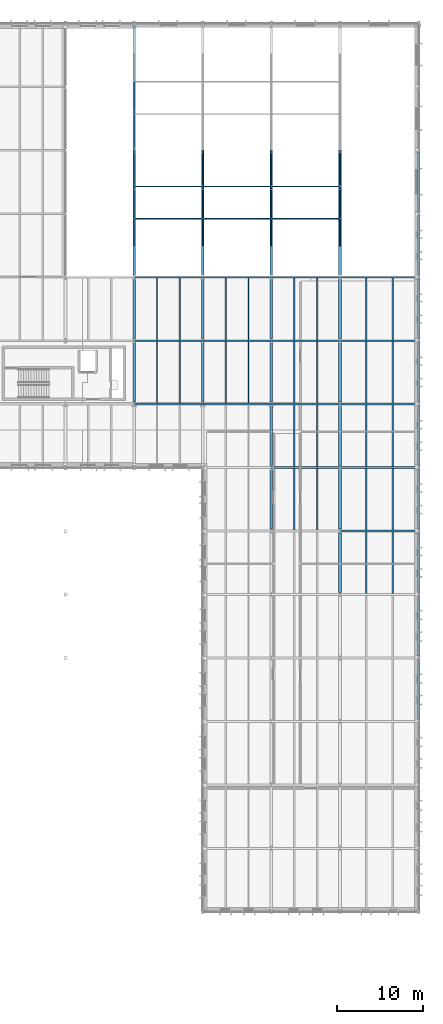
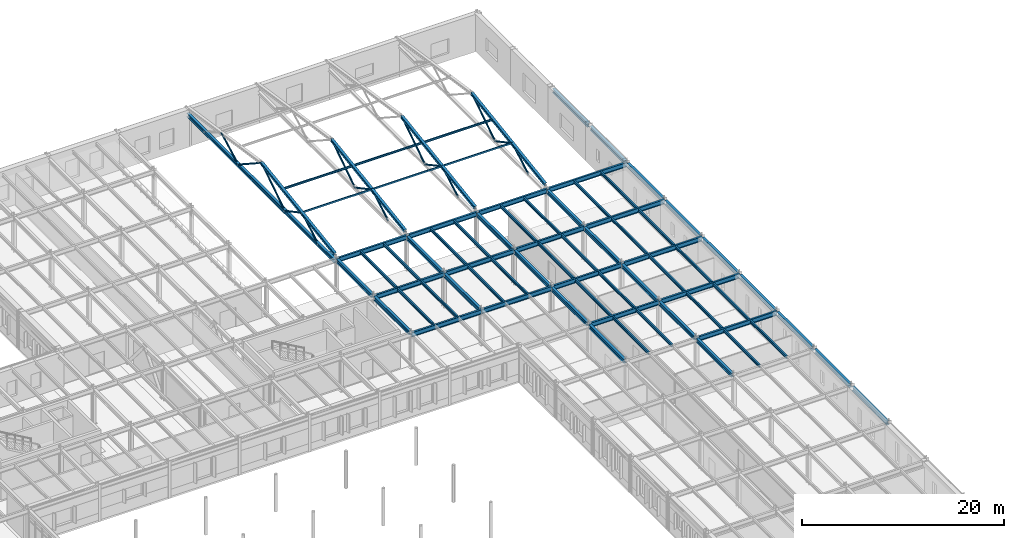
# One storey, part 27 of 75: 63 beams, 25 members.
"""IFC4 building model written with IfcOpenShell, lengths in metres."""

from ifc_helpers import new_model, si_unit, direction, frame, origin, origin_2d, place, context, subcontext, project, spatial, hollow_rectangle, hollow_circle, i_section, extrude, material, material_profile, profile_set, type_object, element, save


model = new_model("IFC4")

# Units and contexts
model_context = context("Model", 3, precision=1e-05, world=origin(), true_north=direction((0.0, 1.0)))
body_context = subcontext(model_context, "Body", "Model", "MODEL_VIEW")
ifc_project = project(units=[si_unit("LENGTHUNIT", "METRE"), si_unit("AREAUNIT", "SQUARE_METRE"), si_unit("VOLUMEUNIT", "CUBIC_METRE"), si_unit("PLANEANGLEUNIT", "RADIAN"), si_unit("MASSUNIT", "GRAM", prefix="KILO")], contexts=[model_context])

# Site, building, storey
site_placement = place(None, origin())
site = spatial("IfcSite", under=ifc_project, at=site_placement, CompositionType="ELEMENT")
building_placement = place(site_placement, origin())
building = spatial("IfcBuilding", under=site, at=building_placement, Name="Valkorina Park Police Headquarters", CompositionType="ELEMENT")
storey_placement = place(building_placement, frame((0.0, 0.0, 5.39990234375)))
storey = spatial("IfcBuildingStorey", under=building, at=storey_placement, Name="L02", CompositionType="ELEMENT", Elevation=5.39990234375)

# Beams
ifc_material = material(Name="Steel S355", Category="steel")
ifc_material_profile_1 = material_profile(ifc_material, i_section(OverallWidth=0.300048828125, OverallDepth=0.489990234375, WebThickness=0.011962890625, FlangeThickness=0.02294921875, FilletRadius=0.027099609375, at=origin_2d()), Name="HEA 500")
ifc_profile_set_1 = profile_set([ifc_material_profile_1], Name="Steel S355")
beam_type_1 = type_object("IfcBeamType", Name="BM-S355-HEA500-BM", PredefinedType="BEAM", material=ifc_profile_set_1)
for number, where, z_axis, x_axis, name in (
    (1, (128.800048828125, 66.824951171875, 3.9951171875), (0.0, 1.0, 0.0), (-1.0, 0.0, 0.0), "L02 Framing Beam 1733"),
    (2, (128.800048828125, 74.22509765625, 3.9951171875), (0.0, 1.0, 0.0), (-1.0, 0.0, 0.0), "L02 Framing Beam 1736"),
    (3, (136.800048828125, 66.824951171875, 3.955078125), (0.0, 1.0, 0.0), (-1.0, 0.0, 0.0), "L02 Framing Beam 1763"),
    (4, (136.800048828125, 74.22509765625, 3.955078125), (0.0, 1.0, 0.0), (-1.0, 0.0, 0.0), "L02 Framing Beam 1766"),
):
    element("IfcBeam", number, at=place(storey_placement, frame(where, z_axis=z_axis, x_axis=x_axis)), inside=storey, type_object=beam_type_1, Name=name, PredefinedType="BEAM", context=body_context, shape_type="SweptSolid", body=[
        extrude(i_section(OverallWidth=0.300048828125, OverallDepth=0.489990234375, WebThickness=0.011962890625, FlangeThickness=0.02294921875, FilletRadius=0.027099609375, at=origin_2d()), origin(), (0.0, 0.0, 1.0), 6.949951171875),
    ])
beam_1_placement = place(storey_placement, frame((144.800048828125, 52.02490234375, 3.955078125), z_axis=(0.0, 1.0, 0.0), x_axis=(-1.0, 0.0, 0.0)))
element("IfcBeam", 5, at=beam_1_placement, inside=storey, type_object=beam_type_1, Name="L02 Framing Beam 1787", PredefinedType="BEAM", context=body_context, shape_type="SweptSolid", body=[
    extrude(i_section(OverallWidth=0.300048828125, OverallDepth=0.489990234375, WebThickness=0.011962890625, FlangeThickness=0.02294921875, FilletRadius=0.027099609375, at=origin_2d()), origin(), (0.0, 0.0, 1.0), 6.9501953125),
])
for number, where, z_axis, x_axis, name in (
    (6, (144.800048828125, 59.425048828125, 3.955078125), (0.0, 1.0, 0.0), (-1.0, 0.0, 0.0), "L02 Framing Beam 1790"),
    (7, (144.800048828125, 66.824951171875, 3.955078125), (0.0, 1.0, 0.0), (-1.0, 0.0, 0.0), "L02 Framing Beam 1793"),
    (8, (144.800048828125, 74.22509765625, 3.955078125), (0.0, 1.0, 0.0), (-1.0, 0.0, 0.0), "L02 Framing Beam 1796"),
    (9, (152.800048828125, 44.625, 3.955078125), (0.0, 1.0, 0.0), (-1.0, 0.0, 0.0), "L02 Framing Beam 1819"),
):
    element("IfcBeam", number, at=place(storey_placement, frame(where, z_axis=z_axis, x_axis=x_axis)), inside=storey, type_object=beam_type_1, Name=name, PredefinedType="BEAM", context=body_context, shape_type="SweptSolid", body=[
        extrude(i_section(OverallWidth=0.300048828125, OverallDepth=0.489990234375, WebThickness=0.011962890625, FlangeThickness=0.02294921875, FilletRadius=0.027099609375, at=origin_2d()), origin(), (0.0, 0.0, 1.0), 6.949951171875),
    ])
beam_2_placement = place(storey_placement, frame((152.800048828125, 52.02490234375, 3.955078125), z_axis=(0.0, 1.0, 0.0), x_axis=(-1.0, 0.0, 0.0)))
element("IfcBeam", 10, at=beam_2_placement, inside=storey, type_object=beam_type_1, Name="L02 Framing Beam 1823", PredefinedType="BEAM", context=body_context, shape_type="SweptSolid", body=[
    extrude(i_section(OverallWidth=0.300048828125, OverallDepth=0.489990234375, WebThickness=0.011962890625, FlangeThickness=0.02294921875, FilletRadius=0.027099609375, at=origin_2d()), origin(), (0.0, 0.0, 1.0), 6.9501953125),
])
for number, where, z_axis, x_axis, name in (
    (11, (152.800048828125, 59.425048828125, 3.955078125), (0.0, 1.0, 0.0), (-1.0, 0.0, 0.0), "L02 Framing Beam 1827"),
    (12, (152.800048828125, 66.824951171875, 3.955078125), (0.0, 1.0, 0.0), (-1.0, 0.0, 0.0), "L02 Framing Beam 1831"),
    (13, (152.800048828125, 74.22509765625, 3.955078125), (0.0, 1.0, 0.0), (-1.0, 0.0, 0.0), "L02 Framing Beam 1835"),
):
    element("IfcBeam", number, at=place(storey_placement, frame(where, z_axis=z_axis, x_axis=x_axis)), inside=storey, type_object=beam_type_1, Name=name, PredefinedType="BEAM", context=body_context, shape_type="SweptSolid", body=[
        extrude(i_section(OverallWidth=0.300048828125, OverallDepth=0.489990234375, WebThickness=0.011962890625, FlangeThickness=0.02294921875, FilletRadius=0.027099609375, at=origin_2d()), origin(), (0.0, 0.0, 1.0), 6.949951171875),
    ])
ifc_material_profile_2 = material_profile(ifc_material, i_section(OverallWidth=0.300048828125, OverallDepth=0.489990234375, WebThickness=0.011962890625, FlangeThickness=0.02294921875, FilletRadius=0.027099609375, at=origin_2d()), Name="HEA 500")
ifc_profile_set_2 = profile_set([ifc_material_profile_2], Name="Steel S355")
beam_type_2 = type_object("IfcBeamType", Name="BM-S355-HEA500-SPN", PredefinedType="SPANDREL", material=ifc_profile_set_2)
for number, where, z_axis, x_axis, name in (
    (14, (162.0, 29.824951171875, 3.925048828125), (0.0, 1.0, 0.0), (-1.0, 0.0, 0.0), "L02 Framing Beam 1812"),
    (15, (162.0, 37.22509765625, 3.955078125), (0.0, 1.0, 0.0), (-1.0, 0.0, 0.0), "L02 Framing Beam 1816"),
    (16, (162.0, 44.625, 3.955078125), (0.0, 1.0, 0.0), (-1.0, 0.0, 0.0), "L02 Framing Beam 1820"),
):
    element("IfcBeam", number, at=place(storey_placement, frame(where, z_axis=z_axis, x_axis=x_axis)), inside=storey, type_object=beam_type_2, Name=name, PredefinedType="SPANDREL", context=body_context, shape_type="SweptSolid", body=[
        extrude(i_section(OverallWidth=0.300048828125, OverallDepth=0.489990234375, WebThickness=0.011962890625, FlangeThickness=0.02294921875, FilletRadius=0.027099609375, at=origin_2d()), origin(), (0.0, 0.0, 1.0), 6.949951171875),
    ])
beam_3_placement = place(storey_placement, frame((162.0, 52.02490234375, 3.955078125), z_axis=(0.0, 1.0, 0.0), x_axis=(-1.0, 0.0, 0.0)))
element("IfcBeam", 17, at=beam_3_placement, inside=storey, type_object=beam_type_2, Name="L02 Framing Beam 1824", PredefinedType="SPANDREL", context=body_context, shape_type="SweptSolid", body=[
    extrude(i_section(OverallWidth=0.300048828125, OverallDepth=0.489990234375, WebThickness=0.011962890625, FlangeThickness=0.02294921875, FilletRadius=0.027099609375, at=origin_2d()), origin(), (0.0, 0.0, 1.0), 6.9501953125),
])
for number, where, z_axis, x_axis, name in (
    (18, (162.0, 59.425048828125, 3.955078125), (0.0, 1.0, 0.0), (-1.0, 0.0, 0.0), "L02 Framing Beam 1828"),
    (19, (162.0, 66.824951171875, 3.955078125), (0.0, 1.0, 0.0), (-1.0, 0.0, 0.0), "L02 Framing Beam 1832"),
    (20, (162.0, 74.22509765625, 3.955078125), (0.0, 1.0, 0.0), (-1.0, 0.0, 0.0), "L02 Framing Beam 1836"),
    (21, (162.0, 81.625, 3.955078125), (0.0, 1.0, 0.0), (-1.0, 0.0, 0.0), "L02 Framing Beam 1839"),
):
    element("IfcBeam", number, at=place(storey_placement, frame(where, z_axis=z_axis, x_axis=x_axis)), inside=storey, type_object=beam_type_2, Name=name, PredefinedType="SPANDREL", context=body_context, shape_type="SweptSolid", body=[
        extrude(i_section(OverallWidth=0.300048828125, OverallDepth=0.489990234375, WebThickness=0.011962890625, FlangeThickness=0.02294921875, FilletRadius=0.027099609375, at=origin_2d()), origin(), (0.0, 0.0, 1.0), 6.949951171875),
    ])
beam_4_placement = place(storey_placement, frame((162.0, 89.02490234375, 3.9951171875), z_axis=(0.0, 1.0, 0.0), x_axis=(-1.0, 0.0, 0.0)))
element("IfcBeam", 22, at=beam_4_placement, inside=storey, type_object=beam_type_2, Name="L02 Framing Beam 1840", PredefinedType="SPANDREL", context=body_context, shape_type="SweptSolid", body=[
    extrude(i_section(OverallWidth=0.300048828125, OverallDepth=0.489990234375, WebThickness=0.011962890625, FlangeThickness=0.02294921875, FilletRadius=0.027099609375, at=origin_2d()), origin(), (0.0, 0.0, 1.0), 6.9501953125),
])
ifc_material_profile_3 = material_profile(ifc_material, i_section(OverallWidth=0.169921875, OverallDepth=0.360107421875, WebThickness=0.008056640625, FlangeThickness=0.0126953125, FilletRadius=0.01806640625, at=origin_2d()), Name="IPE 360")
ifc_profile_set_3 = profile_set([ifc_material_profile_3], Name="Steel S355")
beam_type_3 = type_object("IfcBeamType", Name="BM-S355-IPE360-JST", PredefinedType="JOIST", material=ifc_profile_set_3)
for number, where, z_axis, x_axis, name in (
    (23, (131.466796875, 66.705078125, 4.06005859375), (0.0, 1.0, 0.0), (-1.0, 0.0, 0.0), "L02 Framing Beam 1734"),
    (24, (134.13330078125, 66.705078125, 4.06005859375), (0.0, 1.0, 0.0), (-1.0, 0.0, 0.0), "L02 Framing Beam 1735"),
    (25, (131.466796875, 74.10498046875, 4.06005859375), (0.0, 1.0, 0.0), (-1.0, 0.0, 0.0), "L02 Framing Beam 1737"),
    (26, (134.13330078125, 74.10498046875, 4.06005859375), (0.0, 1.0, 0.0), (-1.0, 0.0, 0.0), "L02 Framing Beam 1738"),
    (27, (139.466796875, 66.705078125, 4.02001953125), (0.0, 1.0, 0.0), (-1.0, 0.0, 0.0), "L02 Framing Beam 1764"),
    (28, (142.13330078125, 66.705078125, 4.02001953125), (0.0, 1.0, 0.0), (-1.0, 0.0, 0.0), "L02 Framing Beam 1765"),
    (29, (139.466796875, 74.10498046875, 4.02001953125), (0.0, 1.0, 0.0), (-1.0, 0.0, 0.0), "L02 Framing Beam 1767"),
    (30, (142.13330078125, 74.10498046875, 4.02001953125), (0.0, 1.0, 0.0), (-1.0, 0.0, 0.0), "L02 Framing Beam 1768"),
    (31, (147.466796875, 51.905029296875, 4.02001953125), (0.0, 1.0, 0.0), (-1.0, 0.0, 0.0), "L02 Framing Beam 1788"),
    (32, (150.13330078125, 51.905029296875, 4.02001953125), (0.0, 1.0, 0.0), (-1.0, 0.0, 0.0), "L02 Framing Beam 1789"),
):
    element("IfcBeam", number, at=place(storey_placement, frame(where, z_axis=z_axis, x_axis=x_axis)), inside=storey, type_object=beam_type_3, Name=name, PredefinedType="JOIST", context=body_context, shape_type="SweptSolid", body=[
        extrude(i_section(OverallWidth=0.169921875, OverallDepth=0.360107421875, WebThickness=0.008056640625, FlangeThickness=0.0126953125, FilletRadius=0.01806640625, at=origin_2d()), origin(), (0.0, 0.0, 1.0), 7.18994140625),
    ])
for number, where, z_axis, x_axis, name in (
    (33, (147.466796875, 59.304931640625, 4.02001953125), (0.0, 1.0, 0.0), (-1.0, 0.0, 0.0), "L02 Framing Beam 1791"),
    (34, (150.13330078125, 59.304931640625, 4.02001953125), (0.0, 1.0, 0.0), (-1.0, 0.0, 0.0), "L02 Framing Beam 1792"),
):
    element("IfcBeam", number, at=place(storey_placement, frame(where, z_axis=z_axis, x_axis=x_axis)), inside=storey, type_object=beam_type_3, Name=name, PredefinedType="JOIST", context=body_context, shape_type="SweptSolid", body=[
        extrude(i_section(OverallWidth=0.169921875, OverallDepth=0.360107421875, WebThickness=0.008056640625, FlangeThickness=0.0126953125, FilletRadius=0.01806640625, at=origin_2d()), origin(), (0.0, 0.0, 1.0), 7.190185546875),
    ])
for number, where, z_axis, x_axis, name in (
    (35, (147.466796875, 66.705078125, 4.02001953125), (0.0, 1.0, 0.0), (-1.0, 0.0, 0.0), "L02 Framing Beam 1794"),
    (36, (150.13330078125, 66.705078125, 4.02001953125), (0.0, 1.0, 0.0), (-1.0, 0.0, 0.0), "L02 Framing Beam 1795"),
    (37, (147.466796875, 74.10498046875, 4.02001953125), (0.0, 1.0, 0.0), (-1.0, 0.0, 0.0), "L02 Framing Beam 1797"),
    (38, (150.13330078125, 74.10498046875, 4.02001953125), (0.0, 1.0, 0.0), (-1.0, 0.0, 0.0), "L02 Framing Beam 1798"),
):
    element("IfcBeam", number, at=place(storey_placement, frame(where, z_axis=z_axis, x_axis=x_axis)), inside=storey, type_object=beam_type_3, Name=name, PredefinedType="JOIST", context=body_context, shape_type="SweptSolid", body=[
        extrude(i_section(OverallWidth=0.169921875, OverallDepth=0.360107421875, WebThickness=0.008056640625, FlangeThickness=0.0126953125, FilletRadius=0.01806640625, at=origin_2d()), origin(), (0.0, 0.0, 1.0), 7.18994140625),
    ])
for number, where, z_axis, x_axis, name in (
    (39, (155.86669921875, 44.5048828125, 4.02001953125), (0.0, 1.0, 0.0), (-1.0, 0.0, 0.0), "L02 Framing Beam 1821"),
    (40, (158.933349609375, 44.5048828125, 4.02001953125), (0.0, 1.0, 0.0), (-1.0, 0.0, 0.0), "L02 Framing Beam 1822"),
):
    element("IfcBeam", number, at=place(storey_placement, frame(where, z_axis=z_axis, x_axis=x_axis)), inside=storey, type_object=beam_type_3, Name=name, PredefinedType="JOIST", context=body_context, shape_type="SweptSolid", body=[
        extrude(i_section(OverallWidth=0.169921875, OverallDepth=0.360107421875, WebThickness=0.008056640625, FlangeThickness=0.0126953125, FilletRadius=0.01806640625, at=origin_2d()), origin(), (0.0, 0.0, 1.0), 7.190185546875),
    ])
for number, where, z_axis, x_axis, name in (
    (41, (155.86669921875, 51.905029296875, 4.02001953125), (0.0, 1.0, 0.0), (-1.0, 0.0, 0.0), "L02 Framing Beam 1825"),
    (42, (158.933349609375, 51.905029296875, 4.02001953125), (0.0, 1.0, 0.0), (-1.0, 0.0, 0.0), "L02 Framing Beam 1826"),
):
    element("IfcBeam", number, at=place(storey_placement, frame(where, z_axis=z_axis, x_axis=x_axis)), inside=storey, type_object=beam_type_3, Name=name, PredefinedType="JOIST", context=body_context, shape_type="SweptSolid", body=[
        extrude(i_section(OverallWidth=0.169921875, OverallDepth=0.360107421875, WebThickness=0.008056640625, FlangeThickness=0.0126953125, FilletRadius=0.01806640625, at=origin_2d()), origin(), (0.0, 0.0, 1.0), 7.18994140625),
    ])
for number, where, z_axis, x_axis, name in (
    (43, (155.86669921875, 59.304931640625, 4.02001953125), (0.0, 1.0, 0.0), (-1.0, 0.0, 0.0), "L02 Framing Beam 1829"),
    (44, (158.933349609375, 59.304931640625, 4.02001953125), (0.0, 1.0, 0.0), (-1.0, 0.0, 0.0), "L02 Framing Beam 1830"),
):
    element("IfcBeam", number, at=place(storey_placement, frame(where, z_axis=z_axis, x_axis=x_axis)), inside=storey, type_object=beam_type_3, Name=name, PredefinedType="JOIST", context=body_context, shape_type="SweptSolid", body=[
        extrude(i_section(OverallWidth=0.169921875, OverallDepth=0.360107421875, WebThickness=0.008056640625, FlangeThickness=0.0126953125, FilletRadius=0.01806640625, at=origin_2d()), origin(), (0.0, 0.0, 1.0), 7.190185546875),
    ])
for number, where, z_axis, x_axis, name in (
    (45, (155.86669921875, 66.705078125, 4.02001953125), (0.0, 1.0, 0.0), (-1.0, 0.0, 0.0), "L02 Framing Beam 1833"),
    (46, (158.933349609375, 66.705078125, 4.02001953125), (0.0, 1.0, 0.0), (-1.0, 0.0, 0.0), "L02 Framing Beam 1834"),
    (47, (155.86669921875, 74.10498046875, 4.02001953125), (0.0, 1.0, 0.0), (-1.0, 0.0, 0.0), "L02 Framing Beam 1837"),
    (48, (158.933349609375, 74.10498046875, 4.02001953125), (0.0, 1.0, 0.0), (-1.0, 0.0, 0.0), "L02 Framing Beam 1838"),
):
    element("IfcBeam", number, at=place(storey_placement, frame(where, z_axis=z_axis, x_axis=x_axis)), inside=storey, type_object=beam_type_3, Name=name, PredefinedType="JOIST", context=body_context, shape_type="SweptSolid", body=[
        extrude(i_section(OverallWidth=0.169921875, OverallDepth=0.360107421875, WebThickness=0.008056640625, FlangeThickness=0.0126953125, FilletRadius=0.01806640625, at=origin_2d()), origin(), (0.0, 0.0, 1.0), 7.18994140625),
    ])
ifc_material_profile_4 = material_profile(ifc_material, i_section(OverallWidth=0.2099609375, OverallDepth=0.550048828125, WebThickness=0.010986328125, FlangeThickness=0.01708984375, FilletRadius=0.02392578125, at=origin_2d()), Name="IPE 550")
ifc_profile_set_4 = profile_set([ifc_material_profile_4], Name="Steel S355")
beam_type_4 = type_object("IfcBeamType", Name="BM-S355-IPE550-BM", PredefinedType="BEAM", material=ifc_profile_set_4)
beam_5_placement = place(storey_placement, frame((152.806884765625, 51.800048828125, 3.925048828125), z_axis=(1.0, 0.0, 0.0), x_axis=(0.0, 1.0, 0.0)))
element("IfcBeam", 49, at=beam_5_placement, inside=storey, type_object=beam_type_4, Name="L02 Framing Beam 1339", PredefinedType="BEAM", context=body_context, shape_type="SweptSolid", body=[
    extrude(i_section(OverallWidth=0.2099609375, OverallDepth=0.550048828125, WebThickness=0.010986328125, FlangeThickness=0.01708984375, FilletRadius=0.02392578125, at=origin_2d()), origin(), (0.0, 0.0, 1.0), 9.18603515625),
])
beam_6_placement = place(storey_placement, frame((144.806884765625, 59.199951171875, 3.925048828125), z_axis=(1.0, 0.0, 0.0), x_axis=(0.0, 1.0, 0.0)))
element("IfcBeam", 50, at=beam_6_placement, inside=storey, type_object=beam_type_4, Name="L02 Framing Beam 1357", PredefinedType="BEAM", context=body_context, shape_type="SweptSolid", body=[
    extrude(i_section(OverallWidth=0.2099609375, OverallDepth=0.550048828125, WebThickness=0.010986328125, FlangeThickness=0.01708984375, FilletRadius=0.02392578125, at=origin_2d()), origin(), (0.0, 0.0, 1.0), 7.986083984375),
])
beam_7_placement = place(storey_placement, frame((152.806884765625, 59.199951171875, 3.925048828125), z_axis=(1.0, 0.0, 0.0), x_axis=(0.0, 1.0, 0.0)))
element("IfcBeam", 51, at=beam_7_placement, inside=storey, type_object=beam_type_4, Name="L02 Framing Beam 1358", PredefinedType="BEAM", context=body_context, shape_type="SweptSolid", body=[
    extrude(i_section(OverallWidth=0.2099609375, OverallDepth=0.550048828125, WebThickness=0.010986328125, FlangeThickness=0.01708984375, FilletRadius=0.02392578125, at=origin_2d()), origin(), (0.0, 0.0, 1.0), 9.18603515625),
])
for number, where, z_axis, x_axis, name in (
    (52, (128.806884765625, 66.60009765625, 3.925048828125), (1.0, 0.0, 0.0), (0.0, 1.0, 0.0), "L02 Framing Beam 1371"),
    (53, (136.806884765625, 66.60009765625, 3.925048828125), (1.0, 0.0, 0.0), (0.0, 1.0, 0.0), "L02 Framing Beam 1372"),
    (54, (144.806884765625, 66.60009765625, 3.925048828125), (1.0, 0.0, 0.0), (0.0, 1.0, 0.0), "L02 Framing Beam 1373"),
):
    element("IfcBeam", number, at=place(storey_placement, frame(where, z_axis=z_axis, x_axis=x_axis)), inside=storey, type_object=beam_type_4, Name=name, PredefinedType="BEAM", context=body_context, shape_type="SweptSolid", body=[
        extrude(i_section(OverallWidth=0.2099609375, OverallDepth=0.550048828125, WebThickness=0.010986328125, FlangeThickness=0.01708984375, FilletRadius=0.02392578125, at=origin_2d()), origin(), (0.0, 0.0, 1.0), 7.986083984375),
    ])
beam_8_placement = place(storey_placement, frame((152.806884765625, 66.60009765625, 3.925048828125), z_axis=(1.0, 0.0, 0.0), x_axis=(0.0, 1.0, 0.0)))
element("IfcBeam", 55, at=beam_8_placement, inside=storey, type_object=beam_type_4, Name="L02 Framing Beam 1374", PredefinedType="BEAM", context=body_context, shape_type="SweptSolid", body=[
    extrude(i_section(OverallWidth=0.2099609375, OverallDepth=0.550048828125, WebThickness=0.010986328125, FlangeThickness=0.01708984375, FilletRadius=0.02392578125, at=origin_2d()), origin(), (0.0, 0.0, 1.0), 9.18603515625),
])
for number, where, z_axis, x_axis, name in (
    (56, (128.806884765625, 74.0, 3.925048828125), (1.0, 0.0, 0.0), (0.0, 1.0, 0.0), "L02 Framing Beam 1387"),
    (57, (136.806884765625, 74.0, 3.925048828125), (1.0, 0.0, 0.0), (0.0, 1.0, 0.0), "L02 Framing Beam 1388"),
    (58, (144.806884765625, 74.0, 3.925048828125), (1.0, 0.0, 0.0), (0.0, 1.0, 0.0), "L02 Framing Beam 1389"),
):
    element("IfcBeam", number, at=place(storey_placement, frame(where, z_axis=z_axis, x_axis=x_axis)), inside=storey, type_object=beam_type_4, Name=name, PredefinedType="BEAM", context=body_context, shape_type="SweptSolid", body=[
        extrude(i_section(OverallWidth=0.2099609375, OverallDepth=0.550048828125, WebThickness=0.010986328125, FlangeThickness=0.01708984375, FilletRadius=0.02392578125, at=origin_2d()), origin(), (0.0, 0.0, 1.0), 7.986083984375),
    ])
beam_9_placement = place(storey_placement, frame((152.806884765625, 74.0, 3.925048828125), z_axis=(1.0, 0.0, 0.0), x_axis=(0.0, 1.0, 0.0)))
element("IfcBeam", 59, at=beam_9_placement, inside=storey, type_object=beam_type_4, Name="L02 Framing Beam 1390", PredefinedType="BEAM", context=body_context, shape_type="SweptSolid", body=[
    extrude(i_section(OverallWidth=0.2099609375, OverallDepth=0.550048828125, WebThickness=0.010986328125, FlangeThickness=0.01708984375, FilletRadius=0.02392578125, at=origin_2d()), origin(), (0.0, 0.0, 1.0), 9.18603515625),
])
for number, where, z_axis, x_axis, name in (
    (60, (128.806884765625, 81.39990234375, 3.925048828125), (1.0, 0.0, 0.0), (0.0, 1.0, 0.0), "L02 Framing Beam 1403"),
    (61, (136.806884765625, 81.39990234375, 3.925048828125), (1.0, 0.0, 0.0), (0.0, 1.0, 0.0), "L02 Framing Beam 1404"),
    (62, (144.806884765625, 81.39990234375, 3.925048828125), (1.0, 0.0, 0.0), (0.0, 1.0, 0.0), "L02 Framing Beam 1405"),
):
    element("IfcBeam", number, at=place(storey_placement, frame(where, z_axis=z_axis, x_axis=x_axis)), inside=storey, type_object=beam_type_4, Name=name, PredefinedType="BEAM", context=body_context, shape_type="SweptSolid", body=[
        extrude(i_section(OverallWidth=0.2099609375, OverallDepth=0.550048828125, WebThickness=0.010986328125, FlangeThickness=0.01708984375, FilletRadius=0.02392578125, at=origin_2d()), origin(), (0.0, 0.0, 1.0), 7.986083984375),
    ])
beam_10_placement = place(storey_placement, frame((152.806884765625, 81.39990234375, 3.925048828125), z_axis=(1.0, 0.0, 0.0), x_axis=(0.0, 1.0, 0.0)))
element("IfcBeam", 63, at=beam_10_placement, inside=storey, type_object=beam_type_4, Name="L02 Framing Beam 1406", PredefinedType="BEAM", context=body_context, shape_type="SweptSolid", body=[
    extrude(i_section(OverallWidth=0.2099609375, OverallDepth=0.550048828125, WebThickness=0.010986328125, FlangeThickness=0.01708984375, FilletRadius=0.02392578125, at=origin_2d()), origin(), (0.0, 0.0, 1.0), 9.18603515625),
])

# Members
ifc_material_profile_5 = material_profile(ifc_material, hollow_circle(Radius=0.096923828125, WallThickness=0.010009765625, at=origin_2d()), Name="CHS 193.7x10")
ifc_profile_set_5 = profile_set([ifc_material_profile_5], Name="Steel S355")
member_type_1 = type_object("IfcMemberType", Name="MB-S355-CHS193-BRC", PredefinedType="BRACE", material=ifc_profile_set_5)
member_1_placement = place(storey_placement, frame((128.800048828125, 85.0, 3.7001953125), z_axis=(0.0, 0.869261620131, 0.494352339701), x_axis=(-1.0, 0.0, 0.0)))
element("IfcMember", 64, at=member_1_placement, inside=storey, type_object=member_type_1, Name="V3 Gym Roof Truss Web W1 128", PredefinedType="BRACE", context=body_context, shape_type="SweptSolid", body=[
    extrude(hollow_circle(Radius=0.096923828125, WallThickness=0.010009765625, at=origin_2d()), origin(), (0.0, 0.0, 1.0), 3.68115234375),
])
member_2_placement = place(storey_placement, frame((128.800048828125, 88.199951171875, 5.52001953125), z_axis=(0.0, 0.881661540735, -0.471882323877), x_axis=(-1.0, 0.0, 0.0)))
element("IfcMember", 65, at=member_2_placement, inside=storey, type_object=member_type_1, Name="V3 Gym Roof Truss Web W2 128", PredefinedType="BRACE", context=body_context, shape_type="SweptSolid", body=[
    extrude(hollow_circle(Radius=0.096923828125, WallThickness=0.010009765625, at=origin_2d()), origin(), (0.0, 0.0, 1.0), 3.8564453125),
])
member_3_placement = place(storey_placement, frame((128.800048828125, 91.60009765625, 3.7001953125), z_axis=(0.0, 0.837602637053, 0.546279985357), x_axis=(-1.0, 0.0, 0.0)))
element("IfcMember", 66, at=member_3_placement, inside=storey, type_object=member_type_1, Name="V3 Gym Roof Truss Web W3 128", PredefinedType="BRACE", context=body_context, shape_type="SweptSolid", body=[
    extrude(hollow_circle(Radius=0.096923828125, WallThickness=0.010009765625, at=origin_2d()), origin(), (0.0, 0.0, 1.0), 5.49169921875),
])
member_4_placement = place(storey_placement, frame((128.800048828125, 96.199951171875, 6.7001953125), z_axis=(0.0, 0.837615903066, -0.546259644245), x_axis=(-1.0, 0.0, 0.0)))
element("IfcMember", 67, at=member_4_placement, inside=storey, type_object=member_type_1, Name="V3 Gym Roof Truss Web W4 128", PredefinedType="BRACE", context=body_context, shape_type="SweptSolid", body=[
    extrude(hollow_circle(Radius=0.096923828125, WallThickness=0.010009765625, at=origin_2d()), origin(), (0.0, 0.0, 1.0), 5.491943359375),
])
member_5_placement = place(storey_placement, frame((128.800048828125, 100.800048828125, 3.7001953125), z_axis=(0.0, 0.881647443041, 0.471908662963), x_axis=(-1.0, 0.0, 0.0)))
element("IfcMember", 68, at=member_5_placement, inside=storey, type_object=member_type_1, Name="V3 Gym Roof Truss Web W5 128", PredefinedType="BRACE", context=body_context, shape_type="SweptSolid", body=[
    extrude(hollow_circle(Radius=0.096923828125, WallThickness=0.010009765625, at=origin_2d()), origin(), (0.0, 0.0, 1.0), 3.856201171875),
])
member_6_placement = place(storey_placement, frame((136.800048828125, 85.0, 3.7001953125), z_axis=(0.0, 0.869261620131, 0.494352339701), x_axis=(-1.0, 0.0, 0.0)))
element("IfcMember", 69, at=member_6_placement, inside=storey, type_object=member_type_1, Name="V3 Gym Roof Truss Web W1 136", PredefinedType="BRACE", context=body_context, shape_type="SweptSolid", body=[
    extrude(hollow_circle(Radius=0.096923828125, WallThickness=0.010009765625, at=origin_2d()), origin(), (0.0, 0.0, 1.0), 3.68115234375),
])
member_7_placement = place(storey_placement, frame((136.800048828125, 88.199951171875, 5.52001953125), z_axis=(0.0, 0.881661540735, -0.471882323877), x_axis=(-1.0, 0.0, 0.0)))
element("IfcMember", 70, at=member_7_placement, inside=storey, type_object=member_type_1, Name="V3 Gym Roof Truss Web W2 136", PredefinedType="BRACE", context=body_context, shape_type="SweptSolid", body=[
    extrude(hollow_circle(Radius=0.096923828125, WallThickness=0.010009765625, at=origin_2d()), origin(), (0.0, 0.0, 1.0), 3.8564453125),
])
member_8_placement = place(storey_placement, frame((136.800048828125, 91.60009765625, 3.7001953125), z_axis=(0.0, 0.837602637053, 0.546279985357), x_axis=(-1.0, 0.0, 0.0)))
element("IfcMember", 71, at=member_8_placement, inside=storey, type_object=member_type_1, Name="V3 Gym Roof Truss Web W3 136", PredefinedType="BRACE", context=body_context, shape_type="SweptSolid", body=[
    extrude(hollow_circle(Radius=0.096923828125, WallThickness=0.010009765625, at=origin_2d()), origin(), (0.0, 0.0, 1.0), 5.49169921875),
])
member_9_placement = place(storey_placement, frame((144.800048828125, 85.0, 3.7001953125), z_axis=(0.0, 0.869261620131, 0.494352339701), x_axis=(-1.0, 0.0, 0.0)))
element("IfcMember", 72, at=member_9_placement, inside=storey, type_object=member_type_1, Name="V3 Gym Roof Truss Web W1 144", PredefinedType="BRACE", context=body_context, shape_type="SweptSolid", body=[
    extrude(hollow_circle(Radius=0.096923828125, WallThickness=0.010009765625, at=origin_2d()), origin(), (0.0, 0.0, 1.0), 3.68115234375),
])
member_10_placement = place(storey_placement, frame((144.800048828125, 88.199951171875, 5.52001953125), z_axis=(0.0, 0.881661540735, -0.471882323877), x_axis=(-1.0, 0.0, 0.0)))
element("IfcMember", 73, at=member_10_placement, inside=storey, type_object=member_type_1, Name="V3 Gym Roof Truss Web W2 144", PredefinedType="BRACE", context=body_context, shape_type="SweptSolid", body=[
    extrude(hollow_circle(Radius=0.096923828125, WallThickness=0.010009765625, at=origin_2d()), origin(), (0.0, 0.0, 1.0), 3.8564453125),
])
member_11_placement = place(storey_placement, frame((144.800048828125, 91.60009765625, 3.7001953125), z_axis=(0.0, 0.837602637053, 0.546279985357), x_axis=(-1.0, 0.0, 0.0)))
element("IfcMember", 74, at=member_11_placement, inside=storey, type_object=member_type_1, Name="V3 Gym Roof Truss Web W3 144", PredefinedType="BRACE", context=body_context, shape_type="SweptSolid", body=[
    extrude(hollow_circle(Radius=0.096923828125, WallThickness=0.010009765625, at=origin_2d()), origin(), (0.0, 0.0, 1.0), 5.49169921875),
])
member_12_placement = place(storey_placement, frame((152.800048828125, 85.0, 3.7001953125), z_axis=(0.0, 0.869261620131, 0.494352339701), x_axis=(-1.0, 0.0, 0.0)))
element("IfcMember", 75, at=member_12_placement, inside=storey, type_object=member_type_1, Name="V3 Gym Roof Truss Web W1 152", PredefinedType="BRACE", context=body_context, shape_type="SweptSolid", body=[
    extrude(hollow_circle(Radius=0.096923828125, WallThickness=0.010009765625, at=origin_2d()), origin(), (0.0, 0.0, 1.0), 3.68115234375),
])
member_13_placement = place(storey_placement, frame((152.800048828125, 88.199951171875, 5.52001953125), z_axis=(0.0, 0.881661540735, -0.471882323877), x_axis=(-1.0, 0.0, 0.0)))
element("IfcMember", 76, at=member_13_placement, inside=storey, type_object=member_type_1, Name="V3 Gym Roof Truss Web W2 152", PredefinedType="BRACE", context=body_context, shape_type="SweptSolid", body=[
    extrude(hollow_circle(Radius=0.096923828125, WallThickness=0.010009765625, at=origin_2d()), origin(), (0.0, 0.0, 1.0), 3.8564453125),
])
member_14_placement = place(storey_placement, frame((152.800048828125, 91.60009765625, 3.7001953125), z_axis=(0.0, 0.837602637053, 0.546279985357), x_axis=(-1.0, 0.0, 0.0)))
element("IfcMember", 77, at=member_14_placement, inside=storey, type_object=member_type_1, Name="V3 Gym Roof Truss Web W3 152", PredefinedType="BRACE", context=body_context, shape_type="SweptSolid", body=[
    extrude(hollow_circle(Radius=0.096923828125, WallThickness=0.010009765625, at=origin_2d()), origin(), (0.0, 0.0, 1.0), 5.49169921875),
])
ifc_material_profile_6 = material_profile(ifc_material, i_section(OverallWidth=0.300048828125, OverallDepth=0.330078125, WebThickness=0.009521484375, FlangeThickness=0.0166015625, FilletRadius=0.027099609375, at=origin_2d()), Name="HEA 340")
ifc_profile_set_6 = profile_set([ifc_material_profile_6], Name="Steel S355")
member_type_2 = type_object("IfcMemberType", Name="MB-S355-HEA340-CHD", PredefinedType="CHORD", material=ifc_profile_set_6)
for number, where, z_axis, x_axis, name in (
    (78, (128.800048828125, 81.625, 4.52001953125), (0.0, 0.988996663286, 0.147937824807), (-1.0, 0.0, 0.0), "V3 Gym Roof Truss Top Rafter S 128"),
    (79, (136.800048828125, 81.625, 4.52001953125), (0.0, 0.988996663286, 0.147937824807), (-1.0, 0.0, 0.0), "V3 Gym Roof Truss Top Rafter S 136"),
    (80, (144.800048828125, 81.625, 4.52001953125), (0.0, 0.988996663286, 0.147937824807), (-1.0, 0.0, 0.0), "V3 Gym Roof Truss Top Rafter S 144"),
    (81, (152.800048828125, 81.625, 4.52001953125), (0.0, 0.988996663286, 0.147937824807), (-1.0, 0.0, 0.0), "V3 Gym Roof Truss Top Rafter S 152"),
):
    element("IfcMember", number, at=place(storey_placement, frame(where, z_axis=z_axis, x_axis=x_axis)), inside=storey, type_object=member_type_2, Name=name, PredefinedType="CHORD", context=body_context, shape_type="SweptSolid", body=[
        extrude(i_section(OverallWidth=0.300048828125, OverallDepth=0.330078125, WebThickness=0.009521484375, FlangeThickness=0.0166015625, FilletRadius=0.027099609375, at=origin_2d()), origin(), (0.0, 0.0, 1.0), 14.737060546875),
    ])
ifc_material_profile_7 = material_profile(ifc_material, i_section(OverallWidth=0.300048828125, OverallDepth=0.449951171875, WebThickness=0.013916015625, FlangeThickness=0.02587890625, FilletRadius=0.027099609375, at=origin_2d()), Name="HEB 450")
ifc_profile_set_7 = profile_set([ifc_material_profile_7], Name="Steel S355")
member_type_3 = type_object("IfcMemberType", Name="MB-S355-HEB450-CHD", PredefinedType="CHORD", material=ifc_profile_set_7)
member_15_placement = place(storey_placement, frame((128.800048828125, 81.625, 3.7001953125), z_axis=(0.0, 1.0, 0.0), x_axis=(-1.0, 0.0, 0.0)))
element("IfcMember", 82, at=member_15_placement, inside=storey, type_object=member_type_3, Name="V3 Gym Roof Truss Bottom Chord 128", PredefinedType="CHORD", context=body_context, shape_type="SweptSolid", body=[
    extrude(i_section(OverallWidth=0.300048828125, OverallDepth=0.449951171875, WebThickness=0.013916015625, FlangeThickness=0.02587890625, FilletRadius=0.027099609375, at=origin_2d()), origin(), (0.0, 0.0, 1.0), 29.14990234375),
])
ifc_material_profile_8 = material_profile(ifc_material, i_section(OverallWidth=0.1201171875, OverallDepth=0.239990234375, WebThickness=0.006103515625, FlangeThickness=0.009765625, FilletRadius=0.014892578125, at=origin_2d()), Name="IPE 240")
ifc_profile_set_8 = profile_set([ifc_material_profile_8], Name="Steel S355")
member_type_4 = type_object("IfcMemberType", Name="MB-S355-IPE240-PRL", PredefinedType="PURLIN", material=ifc_profile_set_8)
for number, where, z_axis, x_axis, name in (
    (83, (128.81005859375, 92.0, 6.10009765625), (1.0, 0.0, 0.0), (0.0, 1.0, 0.0), "V3 Roof Purlin 128-PS2"),
    (84, (136.81005859375, 92.0, 6.10009765625), (1.0, 0.0, 0.0), (0.0, 1.0, 0.0), "V3 Roof Purlin 136-PS2"),
    (85, (144.81005859375, 92.0, 6.10009765625), (1.0, 0.0, 0.0), (0.0, 1.0, 0.0), "V3 Roof Purlin 144-PS2"),
):
    element("IfcMember", number, at=place(storey_placement, frame(where, z_axis=z_axis, x_axis=x_axis)), inside=storey, type_object=member_type_4, Name=name, PredefinedType="PURLIN", context=body_context, shape_type="SweptSolid", body=[
        extrude(i_section(OverallWidth=0.1201171875, OverallDepth=0.239990234375, WebThickness=0.006103515625, FlangeThickness=0.009765625, FilletRadius=0.014892578125, at=origin_2d()), origin(), (0.0, 0.0, 1.0), 7.97998046875),
    ])
ifc_material_profile_9 = material_profile(ifc_material, hollow_rectangle(XDim=0.10009765625, YDim=0.199951171875, WallThickness=0.008056640625, at=origin_2d()), Name="RHS 200x100x8")
ifc_profile_set_9 = profile_set([ifc_material_profile_9], Name="Steel S355")
member_type_5 = type_object("IfcMemberType", Name="MB-S355-RHS200-PRL", PredefinedType="PURLIN", material=ifc_profile_set_9)
for number, where, z_axis, x_axis, name in (
    (86, (128.81005859375, 88.199951171875, 5.570068359375), (1.0, 0.0, 0.0), (0.0, 1.0, 0.0), "V3 Roof Purlin 128-PS1"),
    (87, (136.81005859375, 88.199951171875, 5.570068359375), (1.0, 0.0, 0.0), (0.0, 1.0, 0.0), "V3 Roof Purlin 136-PS1"),
    (88, (144.81005859375, 88.199951171875, 5.570068359375), (1.0, 0.0, 0.0), (0.0, 1.0, 0.0), "V3 Roof Purlin 144-PS1"),
):
    element("IfcMember", number, at=place(storey_placement, frame(where, z_axis=z_axis, x_axis=x_axis)), inside=storey, type_object=member_type_5, Name=name, PredefinedType="PURLIN", context=body_context, shape_type="SweptSolid", body=[
        extrude(hollow_rectangle(XDim=0.10009765625, YDim=0.199951171875, WallThickness=0.008056640625, at=origin_2d()), origin(), (0.0, 0.0, 1.0), 7.97998046875),
    ])

save(model, "model.ifc")
